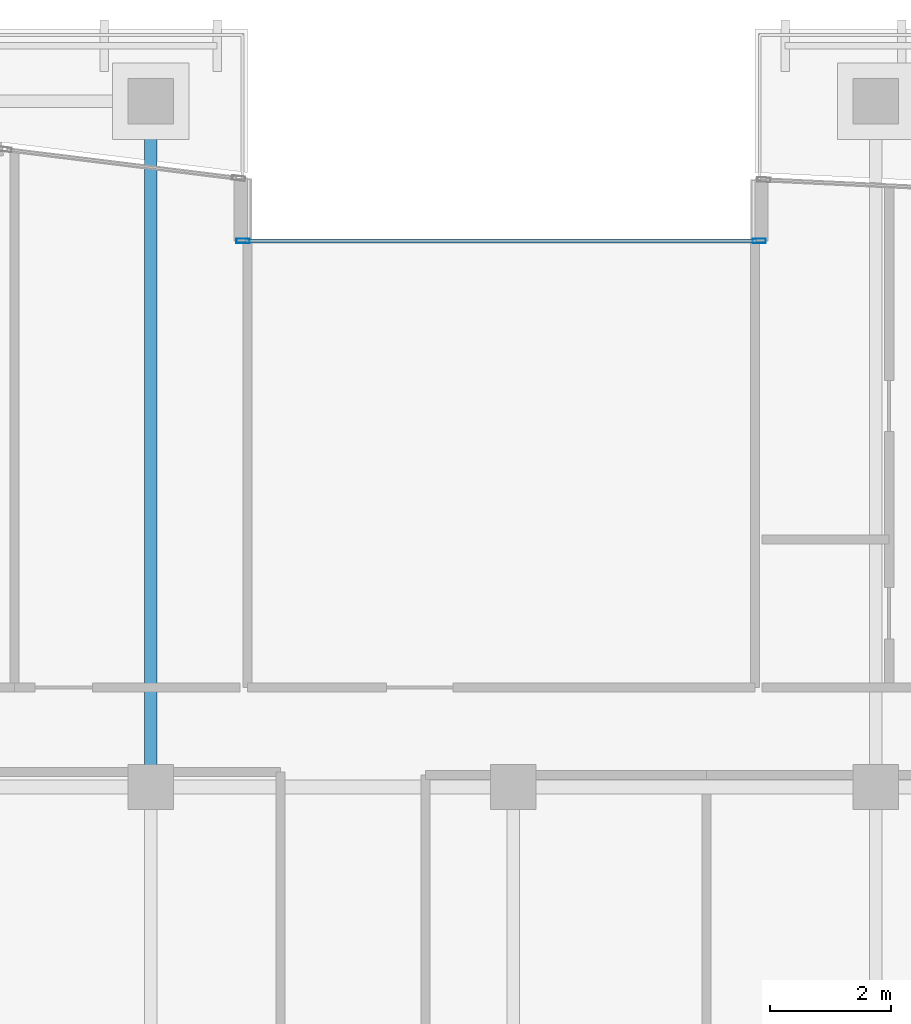
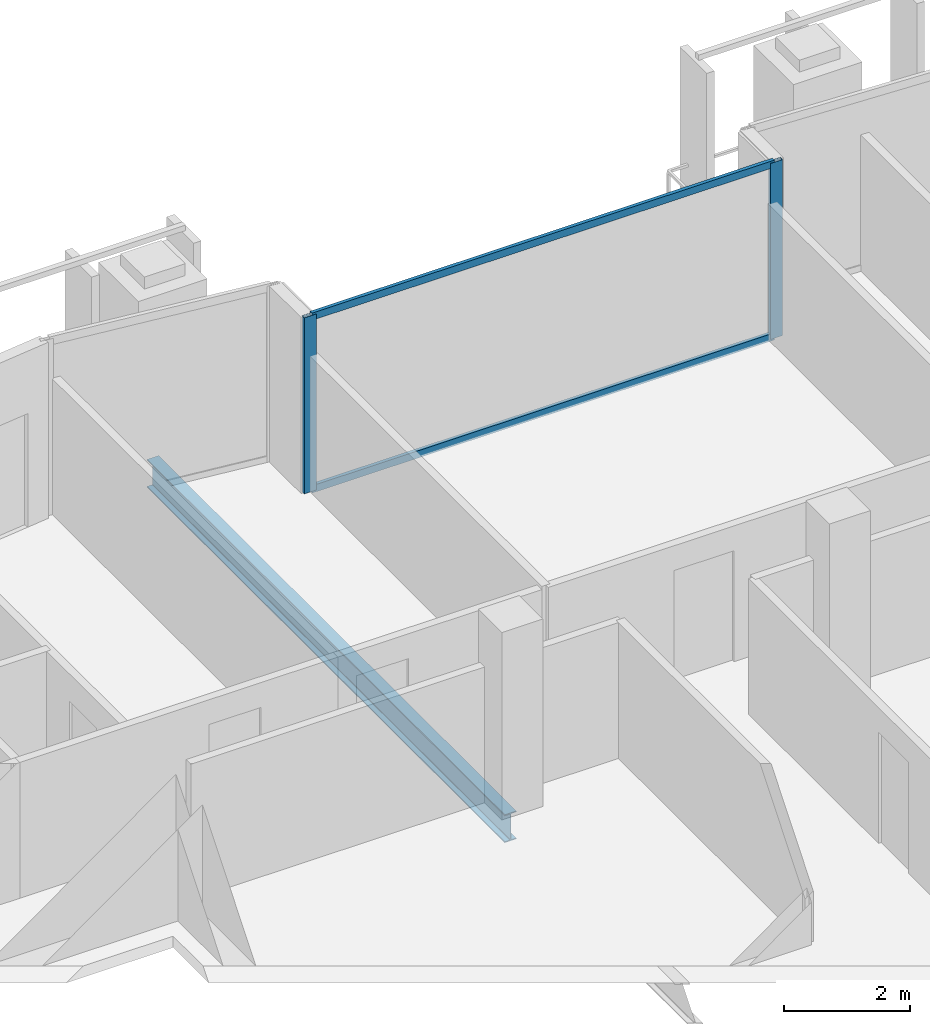
# One storey, part 11 of 31: 4 members, 1 beam, 1 element without a shape of its own.
"""IFC4 building model written with IfcOpenShell, lengths in metres."""

from ifc_helpers import new_model, si_unit, direction, frame, origin, origin_2d, place, context, subcontext, project, spatial, hollow_rectangle, i_section, extrude, material, layer, layer_set, material_profile, profile_set, type_object, element, aggregate, save


model = new_model("IFC4")

# Units and contexts
model_context = context("Model", 3, precision=1e-05, world=origin(), true_north=direction((0.0, 1.0)))
body_context = subcontext(model_context, "Body", "Model", "MODEL_VIEW")
ifc_project = project(units=[si_unit("LENGTHUNIT", "METRE"), si_unit("AREAUNIT", "SQUARE_METRE"), si_unit("VOLUMEUNIT", "CUBIC_METRE"), si_unit("PLANEANGLEUNIT", "RADIAN"), si_unit("MASSUNIT", "GRAM", prefix="KILO")], contexts=[model_context])

# Site, building, storey
site_placement = place(None, origin())
site = spatial("IfcSite", under=ifc_project, at=site_placement, CompositionType="ELEMENT")
building_placement = place(site_placement, origin())
building = spatial("IfcBuilding", under=site, at=building_placement, Name="Tanjung Sevakor Pilgrim Tower", CompositionType="ELEMENT")
storey_placement = place(building_placement, frame((0.0, 0.0, 208.22998046875)))
storey = spatial("IfcBuildingStorey", under=building, at=storey_placement, Name="L58", CompositionType="ELEMENT", Elevation=208.22998046875)

# Beam
ifc_material_1 = material(Name="Steel S355J2", Category="steel")
ifc_material_profile_1 = material_profile(ifc_material_1, i_section(OverallWidth=0.2119140625, OverallDepth=0.54443359375, WebThickness=0.0126953125, FlangeThickness=0.021240234375, FilletRadius=0.0126953125, at=origin_2d()))
ifc_profile_set_1 = profile_set([ifc_material_profile_1], Name="Steel S355J2")
beam_type = type_object("IfcBeamType", Name="BM-B-G5-UB_533x210x122", PredefinedType="BEAM", material=ifc_profile_set_1)
beam_placement = place(storey_placement, frame((42.0, 42.60009765625, -0.4921875), z_axis=(0.0, 1.0, 0.0), x_axis=(-1.0, 0.0, 0.0)))
element("IfcBeam", 1, at=beam_placement, inside=storey, type_object=beam_type, Name="L58 MAIN Girder 007", PredefinedType="BEAM", context=body_context, shape_type="SweptSolid", body=[
    extrude(i_section(OverallWidth=0.2119140625, OverallDepth=0.54443359375, WebThickness=0.0126953125, FlangeThickness=0.021240234375, FilletRadius=0.0126953125, at=origin_2d()), origin(), (0.0, 0.0, 1.0), 11.349853515625),
])

# Curtain wall, members
ifc_material_2 = material(Name="Aluminium 6063-T6 and Low-E Glass", Category="aluminium")
ifc_layer = layer(ifc_material_2, 0.179931640625)
ifc_layer_set = layer_set([ifc_layer], Name="CW-SYS-CLEFT")
curtain_wall_type = type_object("IfcCurtainWallType", Name="CW-SYS-CLEFT", PredefinedType="NOTDEFINED", material=ifc_layer_set)
curtain_wall_placement = place(storey_placement, origin())
curtain_wall = element("IfcCurtainWall", 2, at=curtain_wall_placement, inside=storey, type_object=curtain_wall_type, Name="L58 Curtain Wall CW-CLF-L58-25", PredefinedType="NOTDEFINED")
ifc_material_3 = material(Name="Aluminium 6063-T6", Category="aluminium")
ifc_material_profile_2 = material_profile(ifc_material_3, hollow_rectangle(XDim=0.074951171875, YDim=0.219970703125, WallThickness=0.0048828125, at=origin_2d()))
ifc_profile_set_2 = profile_set([ifc_material_profile_2], Name="Aluminium 6063-T6")
member_type_1 = type_object("IfcMemberType", Name="TYPE-CWM-2", PredefinedType="MULLION", material=ifc_profile_set_2)
member_1_placement = place(storey_placement, frame((52.072509765625, 51.639892578125, 0.0), z_axis=(0.0, 0.0, 1.0), x_axis=(0.0, -1.0, 0.0)))
member_1 = element("IfcMember", 3, at=member_1_placement, type_object=member_type_1, Name="CW-CLF mullion 1", PredefinedType="MULLION", context=body_context, shape_type="SweptSolid", body=[
    extrude(hollow_rectangle(XDim=0.074951171875, YDim=0.219970703125, WallThickness=0.0048828125, at=origin_2d()), origin(), (0.0, 0.0, 1.0), 3.409912109375),
])
member_2_placement = place(storey_placement, frame((43.527587890625, 51.639892578125, 0.0), z_axis=(0.0, 0.0, 1.0), x_axis=(0.0, -1.0, 0.0)))
member_2 = element("IfcMember", 4, at=member_2_placement, type_object=member_type_1, Name="CW-CLF mullion 2", PredefinedType="MULLION", context=body_context, shape_type="SweptSolid", body=[
    extrude(hollow_rectangle(XDim=0.074951171875, YDim=0.219970703125, WallThickness=0.0048828125, at=origin_2d()), origin(), (0.0, 0.0, 1.0), 3.409912109375),
])
ifc_material_4 = material(Name="Aluminium 6063-T6", Category="aluminium")
ifc_material_profile_3 = material_profile(ifc_material_4, hollow_rectangle(XDim=0.06494140625, YDim=0.139892578125, WallThickness=0.00390625, at=origin_2d()))
ifc_profile_set_3 = profile_set([ifc_material_profile_3], Name="Aluminium 6063-T6")
member_type_2 = type_object("IfcMemberType", Name="TYPE-CWT-1", PredefinedType="USERDEFINED", material=ifc_profile_set_3)
member_3_placement = place(storey_placement, frame((52.034912109375, 51.639892578125, 0.032470703125), z_axis=(-1.0, 0.0, 0.0), x_axis=(0.0, -1.0, 0.0)))
member_3 = element("IfcMember", 5, at=member_3_placement, type_object=member_type_2, Name="CW-CLF transom 1.1", ObjectType="TRANSOM", PredefinedType="USERDEFINED", context=body_context, shape_type="SweptSolid", body=[
    extrude(hollow_rectangle(XDim=0.06494140625, YDim=0.139892578125, WallThickness=0.00390625, at=origin_2d()), origin(), (0.0, 0.0, 1.0), 8.469970703125),
])
member_4_placement = place(storey_placement, frame((52.034912109375, 51.639892578125, 3.37744140625), z_axis=(-1.0, 0.0, 0.0), x_axis=(0.0, -1.0, 0.0)))
member_4 = element("IfcMember", 6, at=member_4_placement, type_object=member_type_2, Name="CW-CLF transom 1.2", ObjectType="TRANSOM", PredefinedType="USERDEFINED", context=body_context, shape_type="SweptSolid", body=[
    extrude(hollow_rectangle(XDim=0.06494140625, YDim=0.139892578125, WallThickness=0.00390625, at=origin_2d()), origin(), (0.0, 0.0, 1.0), 8.469970703125),
])
aggregate(curtain_wall, [member_1, member_2, member_3, member_4])

save(model, "model.ifc")
